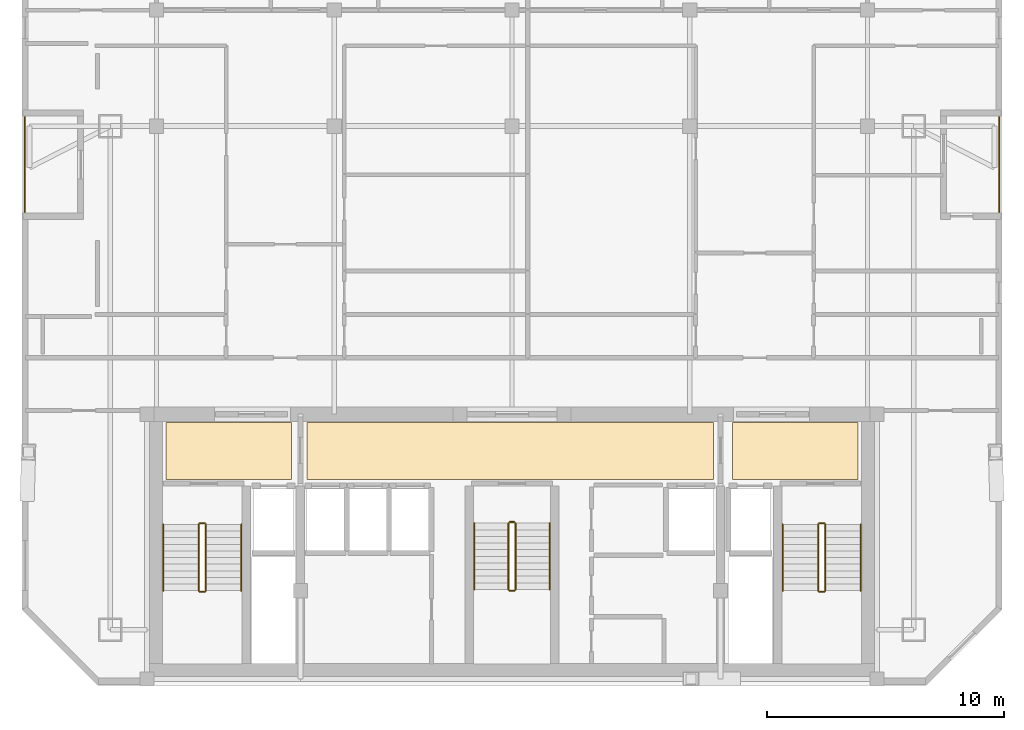
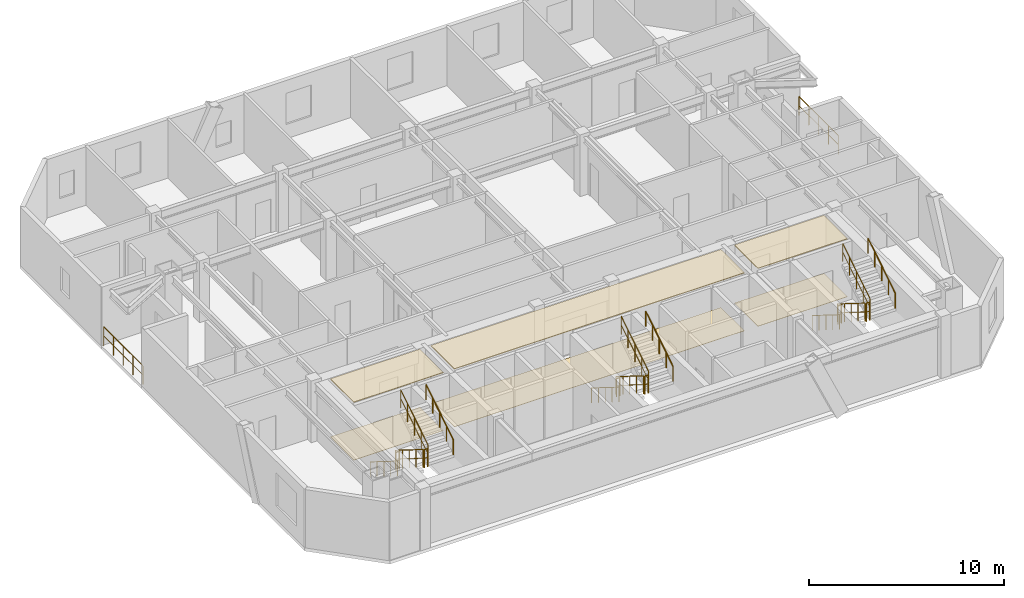
# One storey, part 7 of 7: 20 railings, 6 coverings.
"""IFC4 building model written with IfcOpenShell, lengths in metres."""

import ifcopenshell
import ifcopenshell.guid

model = None  # the IFC model being written
_history = None  # IfcOwnerHistory: only IFC2X3 demands one
_inside = {}  # id of a spatial element -> (the spatial element, [elements in it])
_under = {}  # id of a project, library or spatial element -> (it, [spatial elements below it])
_declared = {}  # id of a project -> (the project, [libraries it declares])
_typed = {}  # id of a type object -> (the type object, [elements of that type])
_made_of = {}  # id of a material, layer set ... -> (it, [elements and type objects made of it])


def new_model(schema):
    """Start an empty IFC model of exactly this schema.

    Asked for "IFC4X3", IfcOpenShell would pick the latest addendum, in which some entities
    have other attributes; the version numbers below select the first issue.
    IFC2X3 requires an IfcOwnerHistory on every rooted entity: one is made here for all.
    """
    global model, _history
    if schema == "IFC4X3":
        model = ifcopenshell.file(schema_version=(4, 3, 0, 0))
    else:
        model = ifcopenshell.file(schema=schema)
    _inside.clear()
    _under.clear()
    _declared.clear()
    _typed.clear()
    _made_of.clear()
    _history = None
    if model.schema == "IFC2X3":
        org = make("IfcOrganization", Name="unknown")
        user = make(
            "IfcPersonAndOrganization",
            ThePerson=make("IfcPerson", FamilyName="unknown"),
            TheOrganization=org,
        )
        app = make(
            "IfcApplication",
            ApplicationDeveloper=org,
            Version="unknown",
            ApplicationFullName="unknown",
            ApplicationIdentifier="unknown",
        )
        _history = make(
            "IfcOwnerHistory",
            OwningUser=user,
            OwningApplication=app,
            ChangeAction="ADDED",
            CreationDate=0,
        )
    return model


def make(cls, **values):
    """One entity of the class cls with the attributes given. An attribute that is None is left unset."""
    return model.create_entity(
        cls, **{name: value for name, value in values.items() if value is not None}
    )


def rooted(cls, **values):
    """An entity with a GlobalId (a new one), such as an element, a storey or a relation."""
    return make(cls, GlobalId=ifcopenshell.guid.new(), OwnerHistory=_history, **values)


def si_unit(unit_type, name, prefix=None):
    """IfcSIUnit, for example si_unit("LENGTHUNIT", "METRE", prefix="MILLI")."""
    return make("IfcSIUnit", UnitType=unit_type, Prefix=prefix, Name=name)


def assignment(units):
    """IfcUnitAssignment: the units of a project."""
    return None if units is None else make("IfcUnitAssignment", Units=units)


def point(xyz):
    """IfcCartesianPoint."""
    return None if xyz is None else make("IfcCartesianPoint", Coordinates=xyz)


def direction(xyz):
    """IfcDirection."""
    return None if xyz is None else make("IfcDirection", DirectionRatios=xyz)


def frame(location, z_axis=None, x_axis=None):
    """IfcAxis2Placement3D, a coordinate frame: its origin and axes. An axis left out is left unset."""
    return make(
        "IfcAxis2Placement3D",
        Location=point(location),
        Axis=direction(z_axis),
        RefDirection=direction(x_axis),
    )


def frame_2d(location, x_axis=None):
    """IfcAxis2Placement2D, a coordinate frame in the plane: its origin and x axis."""
    return make(
        "IfcAxis2Placement2D", Location=point(location), RefDirection=direction(x_axis)
    )


def origin():
    """The frame at (0, 0, 0) with its axes left unset."""
    return frame((0.0, 0.0, 0.0))


def origin_2d():
    """The frame at (0, 0) in the plane with its x axis left unset."""
    return frame_2d((0.0, 0.0))


def place(relative_to, where):
    """IfcLocalPlacement: puts the frame where relative to a parent placement (None: the world)."""
    return make(
        "IfcLocalPlacement", PlacementRelTo=relative_to, RelativePlacement=where
    )


def context(
    kind, dimensions, precision=None, world=None, true_north=None, identifier=None
):
    """IfcGeometricRepresentationContext, for example the 3D "Model" context."""
    return make(
        "IfcGeometricRepresentationContext",
        ContextIdentifier=identifier,
        ContextType=kind,
        CoordinateSpaceDimension=dimensions,
        Precision=precision,
        WorldCoordinateSystem=world,
        TrueNorth=true_north,
    )


def subcontext(parent, identifier, kind, view, scale=None):
    """IfcGeometricRepresentationSubContext, for example "Body" below "Model"."""
    return make(
        "IfcGeometricRepresentationSubContext",
        ContextIdentifier=identifier,
        ContextType=kind,
        ParentContext=parent,
        TargetScale=scale,
        TargetView=view,
    )


def project(units=None, contexts=None):
    """IfcProject with its units and contexts."""
    return rooted(
        "IfcProject",
        Name="project",
        RepresentationContexts=contexts,
        UnitsInContext=assignment(units),
    )


def spatial(cls, under=None, at=None, **own):
    """A site, building, storey or space (cls), placed at a placement, below another one or the project."""
    s = rooted(cls, ObjectPlacement=at, **own)
    if under is not None:
        _under.setdefault(under.id(), (under, []))[1].append(s)
    return s


def polyline(points):
    """IfcPolyline through the points."""
    return make("IfcPolyline", Points=[point(p) for p in points])


def profile(cls, at=None, kind="AREA", **sizes):
    """A parametric profile (cls). Its sizes go by their IFC names, for example OverallWidth=200.0."""
    return make(cls, ProfileType=kind, Position=at, **sizes)


def circle(**sizes):
    """IfcCircleProfileDef."""
    return profile("IfcCircleProfileDef", **sizes)


def outline(outer, holes=None, kind="AREA"):
    """IfcArbitraryClosedProfileDef: a profile drawn as a closed curve; with holes, ...WithVoids."""
    if holes is None:
        return make("IfcArbitraryClosedProfileDef", ProfileType=kind, OuterCurve=outer)
    return make(
        "IfcArbitraryProfileDefWithVoids",
        ProfileType=kind,
        OuterCurve=outer,
        InnerCurves=holes,
    )


def extrude(swept, where, along, depth):
    """IfcExtrudedAreaSolid: the profile swept, set in the frame where, extruded along a direction by depth."""
    return make(
        "IfcExtrudedAreaSolid",
        SweptArea=swept,
        Position=where,
        ExtrudedDirection=direction(along),
        Depth=depth,
    )


def shape(context_of_items, identifier, shape_type, items):
    """IfcShapeRepresentation: the items that make up one representation, for example the "Body"."""
    return make(
        "IfcShapeRepresentation",
        ContextOfItems=context_of_items,
        RepresentationIdentifier=identifier,
        RepresentationType=shape_type,
        Items=items,
    )


def material(Name=None, Category=None):
    """IfcMaterial."""
    return make("IfcMaterial", Name=Name, Category=Category)


def layer(
    of_material, thickness, ventilated=None, Name=None, Category=None, Priority=None
):
    """IfcMaterialLayer: one layer of a wall or slab, of a material (None: an air gap)."""
    return make(
        "IfcMaterialLayer",
        Material=of_material,
        LayerThickness=thickness,
        IsVentilated=ventilated,
        Name=Name,
        Category=Category,
        Priority=Priority,
    )


def layer_set(layers, Name=None):
    """IfcMaterialLayerSet."""
    return make("IfcMaterialLayerSet", MaterialLayers=layers, LayerSetName=Name)


def made_of(thing, what):
    """Note that an element or type object is made of a material, layer set ...; save() writes the relation."""
    if what is not None:
        _made_of.setdefault(what.id(), (what, []))[1].append(thing)
    return thing


def type_object(cls, material=None, **own):
    """A type object (cls), such as IfcWallType, which elements share."""
    return made_of(rooted(cls, **own), material)


def element(
    cls,
    number,
    at=None,
    inside=None,
    cuts=None,
    type_object=None,
    material=None,
    context=None,
    identifier="Body",
    shape_type=None,
    held_by="IfcProductDefinitionShape",
    body=None,
    shapes=None,
    **own,
):
    """One element of the class cls, such as IfcWall. Its Tag is "e" and its number.

    at: its placement. inside: the storey or other place that contains it. cuts: it is an
    opening in that element (IfcRelVoidsElement). A single representation is given by context,
    identifier, shape_type and body (its items); several are given by shapes. held_by: the class
    of the entity that holds the representations. save() writes the other relations.
    """
    e = rooted(cls, Tag="e%d" % number, ObjectPlacement=at, **own)
    if body is not None:
        shapes = [shape(context, identifier, shape_type, body)]
    if shapes is not None:
        e.Representation = make(held_by, Representations=shapes)
    if inside is not None:
        _inside.setdefault(inside.id(), (inside, []))[1].append(e)
    if cuts is not None:
        rooted(
            "IfcRelVoidsElement", RelatingBuildingElement=cuts, RelatedOpeningElement=e
        )
    if type_object is not None:
        _typed.setdefault(type_object.id(), (type_object, []))[1].append(e)
    return made_of(e, material)


def aggregate(whole, parts):
    """IfcRelAggregates: a whole, such as a stair, and the parts it consists of."""
    return rooted("IfcRelAggregates", RelatingObject=whole, RelatedObjects=parts)


def save(model, path):
    """Write the relations noted so far, then the file.

    IfcRelAggregates (storeys below a building ...), IfcRelContainedInSpatialStructure (elements
    in a storey), IfcRelDefinesByType, IfcRelAssociatesMaterial and IfcRelDeclares: one each for
    every whole, place, type object, material and project.
    """
    for whole, parts in _under.values():
        aggregate(whole, parts)
    for where, things in _inside.values():
        rooted(
            "IfcRelContainedInSpatialStructure",
            RelatedElements=things,
            RelatingStructure=where,
        )
    for kind, things in _typed.values():
        rooted("IfcRelDefinesByType", RelatedObjects=things, RelatingType=kind)
    for what, things in _made_of.values():
        rooted("IfcRelAssociatesMaterial", RelatedObjects=things, RelatingMaterial=what)
    for by, libraries in _declared.values():
        rooted("IfcRelDeclares", RelatingContext=by, RelatedDefinitions=libraries)
    model.write(path)


model = new_model("IFC4")

# Units and contexts
model_context = context("Model", 3, precision=1e-05, world=origin(), true_north=direction((0.0, 1.0)))
body_context = subcontext(model_context, "Body", "Model", "MODEL_VIEW")
ifc_project = project(units=[si_unit("LENGTHUNIT", "METRE"), si_unit("AREAUNIT", "SQUARE_METRE"), si_unit("VOLUMEUNIT", "CUBIC_METRE"), si_unit("PLANEANGLEUNIT", "RADIAN"), si_unit("MASSUNIT", "GRAM", prefix="KILO")], contexts=[model_context])

# Site, building, storey
site_placement = place(None, origin())
site = spatial("IfcSite", under=ifc_project, at=site_placement, CompositionType="ELEMENT")
building_placement = place(site_placement, origin())
building = spatial("IfcBuilding", under=site, at=building_placement, Name="Ventersveld Concourse Tower", CompositionType="ELEMENT")
storey_placement = place(building_placement, frame((0.0, 0.0, 264.449951171875)))
storey = spatial("IfcBuildingStorey", under=building, at=storey_placement, Name="L65", CompositionType="ELEMENT", Elevation=264.449951171875)

# Coverings
ifc_material_1 = material(Name="Mineral-fibre acoustic ceiling tile", Category="gypsum")
ifc_layer_1 = layer(ifc_material_1, 0.0400390625)
ifc_layer_set_1 = layer_set([ifc_layer_1], Name="Mineral-fibre acoustic ceiling tile")
covering_type_1 = type_object("IfcCoveringType", Name="COV-CEIL-ACOUSTIC", PredefinedType="CEILING", material=ifc_layer_set_1)
covering_1_placement = place(storey_placement, frame((0.0, 0.0, 3.610107421875)))
element("IfcCovering", 1, at=covering_1_placement, inside=storey, type_object=covering_type_1, Name="L65 North Lift Lobby Acoustic Ceiling", PredefinedType="CEILING", context=body_context, shape_type="SweptSolid", body=[
    extrude(outline(polyline([(20.10009765625, 8.699951171875), (37.25, 8.699951171875), (37.25, 11.10009765625), (20.10009765625, 11.10009765625), (20.10009765625, 8.699951171875)])), origin(), (0.0, 0.0, 1.0), 0.0400390625),
])
covering_2_placement = place(storey_placement, frame((0.0, 0.0, 3.610107421875)))
element("IfcCovering", 2, at=covering_2_placement, inside=storey, type_object=covering_type_1, Name="L65 West Firefighting Lobby Acoustic Ceiling", PredefinedType="CEILING", context=body_context, shape_type="SweptSolid", body=[
    extrude(outline(polyline([(14.14990234375, 8.699951171875), (19.449951171875, 8.699951171875), (19.449951171875, 11.10009765625), (14.14990234375, 11.10009765625), (14.14990234375, 8.699951171875)])), origin(), (0.0, 0.0, 1.0), 0.0400390625),
])
covering_3_placement = place(storey_placement, frame((0.0, 0.0, 3.610107421875)))
element("IfcCovering", 3, at=covering_3_placement, inside=storey, type_object=covering_type_1, Name="L65 East Firefighting Lobby Acoustic Ceiling", PredefinedType="CEILING", context=body_context, shape_type="SweptSolid", body=[
    extrude(outline(polyline([(38.050048828125, 8.699951171875), (43.35009765625, 8.699951171875), (43.35009765625, 11.10009765625), (38.050048828125, 11.10009765625), (38.050048828125, 8.699951171875)])), origin(), (0.0, 0.0, 1.0), 0.0400390625),
])
ifc_material_2 = material(Name="Polished Highveld granite terrazzo", Category="masonry")
ifc_layer_2 = layer(ifc_material_2, 0.02001953125)
ifc_layer_set_2 = layer_set([ifc_layer_2], Name="Polished Highveld granite terrazzo")
covering_type_2 = type_object("IfcCoveringType", Name="COV-FLOOR-TERRAZZO", PredefinedType="FLOORING", material=ifc_layer_set_2)
covering_4_placement = place(storey_placement, origin())
element("IfcCovering", 4, at=covering_4_placement, inside=storey, type_object=covering_type_2, Name="L65 North Lift Lobby Terrazzo Flooring", PredefinedType="FLOORING", context=body_context, shape_type="SweptSolid", body=[
    extrude(outline(polyline([(20.10009765625, 8.699951171875), (37.25, 8.699951171875), (37.25, 11.10009765625), (20.10009765625, 11.10009765625), (20.10009765625, 8.699951171875)])), origin(), (0.0, 0.0, 1.0), 0.02001953125),
])
covering_5_placement = place(storey_placement, origin())
element("IfcCovering", 5, at=covering_5_placement, inside=storey, type_object=covering_type_2, Name="L65 West Firefighting Lobby Terrazzo Flooring", PredefinedType="FLOORING", context=body_context, shape_type="SweptSolid", body=[
    extrude(outline(polyline([(14.14990234375, 8.699951171875), (19.449951171875, 8.699951171875), (19.449951171875, 11.10009765625), (14.14990234375, 11.10009765625), (14.14990234375, 8.699951171875)])), origin(), (0.0, 0.0, 1.0), 0.02001953125),
])
covering_6_placement = place(storey_placement, origin())
element("IfcCovering", 6, at=covering_6_placement, inside=storey, type_object=covering_type_2, Name="L65 East Firefighting Lobby Terrazzo Flooring", PredefinedType="FLOORING", context=body_context, shape_type="SweptSolid", body=[
    extrude(outline(polyline([(38.050048828125, 8.699951171875), (43.35009765625, 8.699951171875), (43.35009765625, 11.10009765625), (38.050048828125, 11.10009765625), (38.050048828125, 8.699951171875)])), origin(), (0.0, 0.0, 1.0), 0.02001953125),
])

# Railings
ifc_material_3 = material(Name="Brushed stainless steel 316", Category="steel")
railing_type_1 = type_object("IfcRailingType", Name="GD-BAL-115", PredefinedType="GUARDRAIL", material=ifc_material_3)
railing_1_placement = place(storey_placement, frame((15.530029296875, 6.800048828125, 0.175048828125)))
element("IfcRailing", 7, at=railing_1_placement, inside=storey, type_object=railing_type_1, Name="L65 ST-01 stair guard 1", PredefinedType="GUARDRAIL", context=body_context, shape_type="SweptSolid", body=[
    extrude(circle(Radius=0.02392578125, at=origin_2d()), frame((0.0, 0.0, 1.1259765625), z_axis=(0.0, -0.848002457836, 0.529992293815), x_axis=(1.0, 0.0, 0.0)), (0.0, 0.0, 1.0), 3.302001953125),
    extrude(circle(Radius=0.01611328125, at=origin_2d()), frame((0.0, 0.0, 0.574951171875), z_axis=(0.0, -0.848002457836, 0.529992293815), x_axis=(1.0, 0.0, 0.0)), (0.0, 0.0, 1.0), 3.302001953125),
    extrude(circle(Radius=0.02099609375, at=origin_2d()), origin(), (0.0, 0.0, 1.0), 1.101806640625),
    extrude(circle(Radius=0.02099609375, at=origin_2d()), frame((0.0, -0.699951171875, 0.4375)), (0.0, 0.0, 1.0), 1.101806640625),
    extrude(circle(Radius=0.02099609375, at=origin_2d()), frame((0.0, -1.39990234375, 0.875)), (0.0, 0.0, 1.0), 1.101806640625),
    extrude(circle(Radius=0.02099609375, at=origin_2d()), frame((0.0, -2.10009765625, 1.3125)), (0.0, 0.0, 1.0), 1.101806640625),
    extrude(circle(Radius=0.02099609375, at=origin_2d()), frame((0.0, -2.800048828125, 1.75)), (0.0, 0.0, 1.0), 1.101806640625),
])
railing_2_placement = place(storey_placement, frame((15.580078125, 3.949951171875, 1.925048828125)))
element("IfcRailing", 8, at=railing_2_placement, inside=storey, type_object=railing_type_1, Name="L65 ST-01 stair guard 2", PredefinedType="GUARDRAIL", context=body_context, shape_type="SweptSolid", body=[
    extrude(circle(Radius=0.02392578125, at=origin_2d()), frame((0.0, 0.0, 1.1259765625), z_axis=(1.0, 0.0, 0.0), x_axis=(0.0, 1.0, 0.0)), (0.0, 0.0, 1.0), 0.199951171875),
    extrude(circle(Radius=0.01611328125, at=origin_2d()), frame((0.0, 0.0, 0.574951171875), z_axis=(1.0, 0.0, 0.0), x_axis=(0.0, 1.0, 0.0)), (0.0, 0.0, 1.0), 0.199951171875),
    extrude(circle(Radius=0.02099609375, at=origin_2d()), origin(), (0.0, 0.0, 1.0), 1.101806640625),
    extrude(circle(Radius=0.02099609375, at=origin_2d()), frame((0.199951171875, 0.0, 0.0)), (0.0, 0.0, 1.0), 1.101806640625),
])
railing_3_placement = place(storey_placement, frame((15.830078125, 4.0, 2.10009765625)))
element("IfcRailing", 9, at=railing_3_placement, inside=storey, type_object=railing_type_1, Name="L65 ST-01 stair guard 3", PredefinedType="GUARDRAIL", context=body_context, shape_type="SweptSolid", body=[
    extrude(circle(Radius=0.02392578125, at=origin_2d()), frame((0.0, 0.0, 1.1259765625), z_axis=(0.0, 0.848002457836, 0.529992293815), x_axis=(-1.0, 0.0, 0.0)), (0.0, 0.0, 1.0), 3.302001953125),
    extrude(circle(Radius=0.01611328125, at=origin_2d()), frame((0.0, 0.0, 0.574951171875), z_axis=(0.0, 0.848002457836, 0.529992293815), x_axis=(-1.0, 0.0, 0.0)), (0.0, 0.0, 1.0), 3.302001953125),
    extrude(circle(Radius=0.02099609375, at=origin_2d()), origin(), (0.0, 0.0, 1.0), 1.101806640625),
    extrude(circle(Radius=0.02099609375, at=origin_2d()), frame((0.0, 0.699951171875, 0.4375)), (0.0, 0.0, 1.0), 1.101806640625),
    extrude(circle(Radius=0.02099609375, at=origin_2d()), frame((0.0, 1.39990234375, 0.875)), (0.0, 0.0, 1.0), 1.101806640625),
    extrude(circle(Radius=0.02099609375, at=origin_2d()), frame((0.0, 2.10009765625, 1.3125)), (0.0, 0.0, 1.0), 1.101806640625),
    extrude(circle(Radius=0.02099609375, at=origin_2d()), frame((0.0, 2.800048828125, 1.75)), (0.0, 0.0, 1.0), 1.101806640625),
])
railing_4_placement = place(storey_placement, frame((15.580078125, 6.85009765625, 0.0)))
element("IfcRailing", 10, at=railing_4_placement, inside=storey, type_object=railing_type_1, Name="L65 ST-01 stair guard 4", PredefinedType="GUARDRAIL", context=body_context, shape_type="SweptSolid", body=[
    extrude(circle(Radius=0.02392578125, at=origin_2d()), frame((0.0, 0.0, 1.1259765625), z_axis=(1.0, 0.0, 0.0), x_axis=(0.0, 1.0, 0.0)), (0.0, 0.0, 1.0), 0.199951171875),
    extrude(circle(Radius=0.01611328125, at=origin_2d()), frame((0.0, 0.0, 0.574951171875), z_axis=(1.0, 0.0, 0.0), x_axis=(0.0, 1.0, 0.0)), (0.0, 0.0, 1.0), 0.199951171875),
    extrude(circle(Radius=0.02099609375, at=origin_2d()), origin(), (0.0, 0.0, 1.0), 1.101806640625),
    extrude(circle(Radius=0.02099609375, at=origin_2d()), frame((0.199951171875, 0.0, 0.0)), (0.0, 0.0, 1.0), 1.101806640625),
])
railing_5_placement = place(storey_placement, frame((41.669921875, 6.800048828125, 0.175048828125)))
element("IfcRailing", 11, at=railing_5_placement, inside=storey, type_object=railing_type_1, Name="L65 ST-02 stair guard 1", PredefinedType="GUARDRAIL", context=body_context, shape_type="SweptSolid", body=[
    extrude(circle(Radius=0.02392578125, at=origin_2d()), frame((0.0, 0.0, 1.1259765625), z_axis=(0.0, -0.848002457836, 0.529992293815), x_axis=(1.0, 0.0, 0.0)), (0.0, 0.0, 1.0), 3.302001953125),
    extrude(circle(Radius=0.01611328125, at=origin_2d()), frame((0.0, 0.0, 0.574951171875), z_axis=(0.0, -0.848002457836, 0.529992293815), x_axis=(1.0, 0.0, 0.0)), (0.0, 0.0, 1.0), 3.302001953125),
    extrude(circle(Radius=0.02099609375, at=origin_2d()), origin(), (0.0, 0.0, 1.0), 1.101806640625),
    extrude(circle(Radius=0.02099609375, at=origin_2d()), frame((0.0, -0.699951171875, 0.4375)), (0.0, 0.0, 1.0), 1.101806640625),
    extrude(circle(Radius=0.02099609375, at=origin_2d()), frame((0.0, -1.39990234375, 0.875)), (0.0, 0.0, 1.0), 1.101806640625),
    extrude(circle(Radius=0.02099609375, at=origin_2d()), frame((0.0, -2.10009765625, 1.3125)), (0.0, 0.0, 1.0), 1.101806640625),
    extrude(circle(Radius=0.02099609375, at=origin_2d()), frame((0.0, -2.800048828125, 1.75)), (0.0, 0.0, 1.0), 1.101806640625),
])
railing_6_placement = place(storey_placement, frame((41.719970703125, 3.949951171875, 1.925048828125)))
element("IfcRailing", 12, at=railing_6_placement, inside=storey, type_object=railing_type_1, Name="L65 ST-02 stair guard 2", PredefinedType="GUARDRAIL", context=body_context, shape_type="SweptSolid", body=[
    extrude(circle(Radius=0.02392578125, at=origin_2d()), frame((0.0, 0.0, 1.1259765625), z_axis=(1.0, 0.0, 0.0), x_axis=(0.0, 1.0, 0.0)), (0.0, 0.0, 1.0), 0.199951171875),
    extrude(circle(Radius=0.01611328125, at=origin_2d()), frame((0.0, 0.0, 0.574951171875), z_axis=(1.0, 0.0, 0.0), x_axis=(0.0, 1.0, 0.0)), (0.0, 0.0, 1.0), 0.199951171875),
    extrude(circle(Radius=0.02099609375, at=origin_2d()), origin(), (0.0, 0.0, 1.0), 1.101806640625),
    extrude(circle(Radius=0.02099609375, at=origin_2d()), frame((0.199951171875, 0.0, 0.0)), (0.0, 0.0, 1.0), 1.101806640625),
])
railing_7_placement = place(storey_placement, frame((41.969970703125, 4.0, 2.10009765625)))
element("IfcRailing", 13, at=railing_7_placement, inside=storey, type_object=railing_type_1, Name="L65 ST-02 stair guard 3", PredefinedType="GUARDRAIL", context=body_context, shape_type="SweptSolid", body=[
    extrude(circle(Radius=0.02392578125, at=origin_2d()), frame((0.0, 0.0, 1.1259765625), z_axis=(0.0, 0.848002457836, 0.529992293815), x_axis=(-1.0, 0.0, 0.0)), (0.0, 0.0, 1.0), 3.302001953125),
    extrude(circle(Radius=0.01611328125, at=origin_2d()), frame((0.0, 0.0, 0.574951171875), z_axis=(0.0, 0.848002457836, 0.529992293815), x_axis=(-1.0, 0.0, 0.0)), (0.0, 0.0, 1.0), 3.302001953125),
    extrude(circle(Radius=0.02099609375, at=origin_2d()), origin(), (0.0, 0.0, 1.0), 1.101806640625),
    extrude(circle(Radius=0.02099609375, at=origin_2d()), frame((0.0, 0.699951171875, 0.4375)), (0.0, 0.0, 1.0), 1.101806640625),
    extrude(circle(Radius=0.02099609375, at=origin_2d()), frame((0.0, 1.39990234375, 0.875)), (0.0, 0.0, 1.0), 1.101806640625),
    extrude(circle(Radius=0.02099609375, at=origin_2d()), frame((0.0, 2.10009765625, 1.3125)), (0.0, 0.0, 1.0), 1.101806640625),
    extrude(circle(Radius=0.02099609375, at=origin_2d()), frame((0.0, 2.800048828125, 1.75)), (0.0, 0.0, 1.0), 1.101806640625),
])
railing_8_placement = place(storey_placement, frame((41.719970703125, 6.85009765625, 0.0)))
element("IfcRailing", 14, at=railing_8_placement, inside=storey, type_object=railing_type_1, Name="L65 ST-02 stair guard 4", PredefinedType="GUARDRAIL", context=body_context, shape_type="SweptSolid", body=[
    extrude(circle(Radius=0.02392578125, at=origin_2d()), frame((0.0, 0.0, 1.1259765625), z_axis=(1.0, 0.0, 0.0), x_axis=(0.0, 1.0, 0.0)), (0.0, 0.0, 1.0), 0.199951171875),
    extrude(circle(Radius=0.01611328125, at=origin_2d()), frame((0.0, 0.0, 0.574951171875), z_axis=(1.0, 0.0, 0.0), x_axis=(0.0, 1.0, 0.0)), (0.0, 0.0, 1.0), 0.199951171875),
    extrude(circle(Radius=0.02099609375, at=origin_2d()), origin(), (0.0, 0.0, 1.0), 1.101806640625),
    extrude(circle(Radius=0.02099609375, at=origin_2d()), frame((0.199951171875, 0.0, 0.0)), (0.0, 0.0, 1.0), 1.101806640625),
])
railing_9_placement = place(storey_placement, frame((28.60009765625, 6.85009765625, 0.175048828125)))
element("IfcRailing", 15, at=railing_9_placement, inside=storey, type_object=railing_type_1, Name="L65 ST-03 stair guard 1", PredefinedType="GUARDRAIL", context=body_context, shape_type="SweptSolid", body=[
    extrude(circle(Radius=0.02392578125, at=origin_2d()), frame((0.0, 0.0, 1.1259765625), z_axis=(0.0, -0.848002457836, 0.529992293815), x_axis=(1.0, 0.0, 0.0)), (0.0, 0.0, 1.0), 3.302001953125),
    extrude(circle(Radius=0.01611328125, at=origin_2d()), frame((0.0, 0.0, 0.574951171875), z_axis=(0.0, -0.848002457836, 0.529992293815), x_axis=(1.0, 0.0, 0.0)), (0.0, 0.0, 1.0), 3.302001953125),
    extrude(circle(Radius=0.02099609375, at=origin_2d()), origin(), (0.0, 0.0, 1.0), 1.101806640625),
    extrude(circle(Radius=0.02099609375, at=origin_2d()), frame((0.0, -0.699951171875, 0.4375)), (0.0, 0.0, 1.0), 1.101806640625),
    extrude(circle(Radius=0.02099609375, at=origin_2d()), frame((0.0, -1.39990234375, 0.875)), (0.0, 0.0, 1.0), 1.101806640625),
    extrude(circle(Radius=0.02099609375, at=origin_2d()), frame((0.0, -2.10009765625, 1.3125)), (0.0, 0.0, 1.0), 1.101806640625),
    extrude(circle(Radius=0.02099609375, at=origin_2d()), frame((0.0, -2.800048828125, 1.75)), (0.0, 0.0, 1.0), 1.101806640625),
])
railing_10_placement = place(storey_placement, frame((28.64990234375, 4.0, 1.925048828125)))
element("IfcRailing", 16, at=railing_10_placement, inside=storey, type_object=railing_type_1, Name="L65 ST-03 stair guard 2", PredefinedType="GUARDRAIL", context=body_context, shape_type="SweptSolid", body=[
    extrude(circle(Radius=0.02392578125, at=origin_2d()), frame((0.0, 0.0, 1.1259765625), z_axis=(1.0, 0.0, 0.0), x_axis=(0.0, 1.0, 0.0)), (0.0, 0.0, 1.0), 0.2001953125),
    extrude(circle(Radius=0.01611328125, at=origin_2d()), frame((0.0, 0.0, 0.574951171875), z_axis=(1.0, 0.0, 0.0), x_axis=(0.0, 1.0, 0.0)), (0.0, 0.0, 1.0), 0.2001953125),
    extrude(circle(Radius=0.02099609375, at=origin_2d()), origin(), (0.0, 0.0, 1.0), 1.101806640625),
    extrude(circle(Radius=0.02099609375, at=origin_2d()), frame((0.2001953125, 0.0, 0.0)), (0.0, 0.0, 1.0), 1.101806640625),
])
railing_11_placement = place(storey_placement, frame((28.89990234375, 4.050048828125, 2.10009765625)))
element("IfcRailing", 17, at=railing_11_placement, inside=storey, type_object=railing_type_1, Name="L65 ST-03 stair guard 3", PredefinedType="GUARDRAIL", context=body_context, shape_type="SweptSolid", body=[
    extrude(circle(Radius=0.02392578125, at=origin_2d()), frame((0.0, 0.0, 1.1259765625), z_axis=(0.0, 0.848002457836, 0.529992293815), x_axis=(-1.0, 0.0, 0.0)), (0.0, 0.0, 1.0), 3.302001953125),
    extrude(circle(Radius=0.01611328125, at=origin_2d()), frame((0.0, 0.0, 0.574951171875), z_axis=(0.0, 0.848002457836, 0.529992293815), x_axis=(-1.0, 0.0, 0.0)), (0.0, 0.0, 1.0), 3.302001953125),
    extrude(circle(Radius=0.02099609375, at=origin_2d()), origin(), (0.0, 0.0, 1.0), 1.101806640625),
    extrude(circle(Radius=0.02099609375, at=origin_2d()), frame((0.0, 0.699951171875, 0.4375)), (0.0, 0.0, 1.0), 1.101806640625),
    extrude(circle(Radius=0.02099609375, at=origin_2d()), frame((0.0, 1.39990234375, 0.875)), (0.0, 0.0, 1.0), 1.101806640625),
    extrude(circle(Radius=0.02099609375, at=origin_2d()), frame((0.0, 2.10009765625, 1.3125)), (0.0, 0.0, 1.0), 1.101806640625),
    extrude(circle(Radius=0.02099609375, at=origin_2d()), frame((0.0, 2.800048828125, 1.75)), (0.0, 0.0, 1.0), 1.101806640625),
])
railing_12_placement = place(storey_placement, frame((28.64990234375, 6.89990234375, 0.0)))
element("IfcRailing", 18, at=railing_12_placement, inside=storey, type_object=railing_type_1, Name="L65 ST-03 stair guard 4", PredefinedType="GUARDRAIL", context=body_context, shape_type="SweptSolid", body=[
    extrude(circle(Radius=0.02392578125, at=origin_2d()), frame((0.0, 0.0, 1.1259765625), z_axis=(1.0, 0.0, 0.0), x_axis=(0.0, 1.0, 0.0)), (0.0, 0.0, 1.0), 0.2001953125),
    extrude(circle(Radius=0.01611328125, at=origin_2d()), frame((0.0, 0.0, 0.574951171875), z_axis=(1.0, 0.0, 0.0), x_axis=(0.0, 1.0, 0.0)), (0.0, 0.0, 1.0), 0.2001953125),
    extrude(circle(Radius=0.02099609375, at=origin_2d()), origin(), (0.0, 0.0, 1.0), 1.101806640625),
    extrude(circle(Radius=0.02099609375, at=origin_2d()), frame((0.2001953125, 0.0, 0.0)), (0.0, 0.0, 1.0), 1.101806640625),
])
railing_type_2 = type_object("IfcRailingType", Name="GD-TER-120", PredefinedType="GUARDRAIL", material=ifc_material_3)
for number, where, name in (
    (19, (8.188720703125, 19.9775390625, 0.0), "L65 Outdoor Terrace Guardrail NOTCH-W"),
    (20, (49.311279296875, 19.9775390625, 0.0), "L65 Outdoor Terrace Guardrail NOTCH-E"),
):
    element("IfcRailing", number, at=place(storey_placement, frame(where)), inside=storey, type_object=railing_type_2, Name=name, PredefinedType="GUARDRAIL", context=body_context, shape_type="SweptSolid", body=[
        extrude(circle(Radius=0.02392578125, at=origin_2d()), frame((0.0, 0.0, 1.17578125), z_axis=(0.0, 1.0, 0.0), x_axis=(-1.0, 0.0, 0.0)), (0.0, 0.0, 1.0), 4.0),
        extrude(circle(Radius=0.01611328125, at=origin_2d()), frame((0.0, 0.0, 0.60009765625), z_axis=(0.0, 1.0, 0.0), x_axis=(-1.0, 0.0, 0.0)), (0.0, 0.0, 1.0), 4.0),
        extrude(circle(Radius=0.02099609375, at=origin_2d()), origin(), (0.0, 0.0, 1.0), 1.15185546875),
        extrude(circle(Radius=0.02099609375, at=origin_2d()), frame((0.0, 1.0, 0.0)), (0.0, 0.0, 1.0), 1.15185546875),
        extrude(circle(Radius=0.02099609375, at=origin_2d()), frame((0.0, 2.0, 0.0)), (0.0, 0.0, 1.0), 1.15185546875),
        extrude(circle(Radius=0.02099609375, at=origin_2d()), frame((0.0, 3.0, 0.0)), (0.0, 0.0, 1.0), 1.15185546875),
        extrude(circle(Radius=0.02099609375, at=origin_2d()), frame((0.0, 4.0, 0.0)), (0.0, 0.0, 1.0), 1.15185546875),
    ])
railing_type_3 = type_object("IfcRailingType", Name="HR-RMP-095", PredefinedType="HANDRAIL", material=ifc_material_3)
railing_13_placement = place(storey_placement, frame((14.030029296875, 6.800048828125, 0.175048828125)))
element("IfcRailing", 21, at=railing_13_placement, inside=storey, type_object=railing_type_3, Name="L65 ST-01 stair handrail 1", PredefinedType="HANDRAIL", context=body_context, shape_type="SweptSolid", body=[
    extrude(circle(Radius=0.02392578125, at=origin_2d()), frame((0.0, 0.0, 0.92578125), z_axis=(0.0, -0.848002457836, 0.529992293815), x_axis=(1.0, 0.0, 0.0)), (0.0, 0.0, 1.0), 3.302001953125),
    extrude(circle(Radius=0.02099609375, at=origin_2d()), origin(), (0.0, 0.0, 1.0), 0.90185546875),
    extrude(circle(Radius=0.02099609375, at=origin_2d()), frame((0.0, -0.699951171875, 0.4375)), (0.0, 0.0, 1.0), 0.90185546875),
    extrude(circle(Radius=0.02099609375, at=origin_2d()), frame((0.0, -1.39990234375, 0.875)), (0.0, 0.0, 1.0), 0.90185546875),
    extrude(circle(Radius=0.02099609375, at=origin_2d()), frame((0.0, -2.10009765625, 1.3125)), (0.0, 0.0, 1.0), 0.90185546875),
    extrude(circle(Radius=0.02099609375, at=origin_2d()), frame((0.0, -2.800048828125, 1.75)), (0.0, 0.0, 1.0), 0.90185546875),
])
railing_14_placement = place(storey_placement, frame((17.330078125, 4.0, 2.10009765625)))
element("IfcRailing", 22, at=railing_14_placement, inside=storey, type_object=railing_type_3, Name="L65 ST-01 stair handrail 2", PredefinedType="HANDRAIL", context=body_context, shape_type="SweptSolid", body=[
    extrude(circle(Radius=0.02392578125, at=origin_2d()), frame((0.0, 0.0, 0.92578125), z_axis=(0.0, 0.848002457836, 0.529992293815), x_axis=(-1.0, 0.0, 0.0)), (0.0, 0.0, 1.0), 3.302001953125),
    extrude(circle(Radius=0.02099609375, at=origin_2d()), origin(), (0.0, 0.0, 1.0), 0.90185546875),
    extrude(circle(Radius=0.02099609375, at=origin_2d()), frame((0.0, 0.699951171875, 0.4375)), (0.0, 0.0, 1.0), 0.90185546875),
    extrude(circle(Radius=0.02099609375, at=origin_2d()), frame((0.0, 1.39990234375, 0.875)), (0.0, 0.0, 1.0), 0.90185546875),
    extrude(circle(Radius=0.02099609375, at=origin_2d()), frame((0.0, 2.10009765625, 1.3125)), (0.0, 0.0, 1.0), 0.90185546875),
    extrude(circle(Radius=0.02099609375, at=origin_2d()), frame((0.0, 2.800048828125, 1.75)), (0.0, 0.0, 1.0), 0.90185546875),
])
railing_15_placement = place(storey_placement, frame((40.169921875, 6.800048828125, 0.175048828125)))
element("IfcRailing", 23, at=railing_15_placement, inside=storey, type_object=railing_type_3, Name="L65 ST-02 stair handrail 1", PredefinedType="HANDRAIL", context=body_context, shape_type="SweptSolid", body=[
    extrude(circle(Radius=0.02392578125, at=origin_2d()), frame((0.0, 0.0, 0.92578125), z_axis=(0.0, -0.848002457836, 0.529992293815), x_axis=(1.0, 0.0, 0.0)), (0.0, 0.0, 1.0), 3.302001953125),
    extrude(circle(Radius=0.02099609375, at=origin_2d()), origin(), (0.0, 0.0, 1.0), 0.90185546875),
    extrude(circle(Radius=0.02099609375, at=origin_2d()), frame((0.0, -0.699951171875, 0.4375)), (0.0, 0.0, 1.0), 0.90185546875),
    extrude(circle(Radius=0.02099609375, at=origin_2d()), frame((0.0, -1.39990234375, 0.875)), (0.0, 0.0, 1.0), 0.90185546875),
    extrude(circle(Radius=0.02099609375, at=origin_2d()), frame((0.0, -2.10009765625, 1.3125)), (0.0, 0.0, 1.0), 0.90185546875),
    extrude(circle(Radius=0.02099609375, at=origin_2d()), frame((0.0, -2.800048828125, 1.75)), (0.0, 0.0, 1.0), 0.90185546875),
])
railing_16_placement = place(storey_placement, frame((43.469970703125, 4.0, 2.10009765625)))
element("IfcRailing", 24, at=railing_16_placement, inside=storey, type_object=railing_type_3, Name="L65 ST-02 stair handrail 2", PredefinedType="HANDRAIL", context=body_context, shape_type="SweptSolid", body=[
    extrude(circle(Radius=0.02392578125, at=origin_2d()), frame((0.0, 0.0, 0.92578125), z_axis=(0.0, 0.848002457836, 0.529992293815), x_axis=(-1.0, 0.0, 0.0)), (0.0, 0.0, 1.0), 3.302001953125),
    extrude(circle(Radius=0.02099609375, at=origin_2d()), origin(), (0.0, 0.0, 1.0), 0.90185546875),
    extrude(circle(Radius=0.02099609375, at=origin_2d()), frame((0.0, 0.699951171875, 0.4375)), (0.0, 0.0, 1.0), 0.90185546875),
    extrude(circle(Radius=0.02099609375, at=origin_2d()), frame((0.0, 1.39990234375, 0.875)), (0.0, 0.0, 1.0), 0.90185546875),
    extrude(circle(Radius=0.02099609375, at=origin_2d()), frame((0.0, 2.10009765625, 1.3125)), (0.0, 0.0, 1.0), 0.90185546875),
    extrude(circle(Radius=0.02099609375, at=origin_2d()), frame((0.0, 2.800048828125, 1.75)), (0.0, 0.0, 1.0), 0.90185546875),
])
railing_17_placement = place(storey_placement, frame((27.14990234375, 6.85009765625, 0.175048828125)))
element("IfcRailing", 25, at=railing_17_placement, inside=storey, type_object=railing_type_3, Name="L65 ST-03 stair handrail 1", PredefinedType="HANDRAIL", context=body_context, shape_type="SweptSolid", body=[
    extrude(circle(Radius=0.02392578125, at=origin_2d()), frame((0.0, 0.0, 0.92578125), z_axis=(0.0, -0.848002457836, 0.529992293815), x_axis=(1.0, 0.0, 0.0)), (0.0, 0.0, 1.0), 3.302001953125),
    extrude(circle(Radius=0.02099609375, at=origin_2d()), origin(), (0.0, 0.0, 1.0), 0.90185546875),
    extrude(circle(Radius=0.02099609375, at=origin_2d()), frame((0.0, -0.699951171875, 0.4375)), (0.0, 0.0, 1.0), 0.90185546875),
    extrude(circle(Radius=0.02099609375, at=origin_2d()), frame((0.0, -1.39990234375, 0.875)), (0.0, 0.0, 1.0), 0.90185546875),
    extrude(circle(Radius=0.02099609375, at=origin_2d()), frame((0.0, -2.10009765625, 1.3125)), (0.0, 0.0, 1.0), 0.90185546875),
    extrude(circle(Radius=0.02099609375, at=origin_2d()), frame((0.0, -2.800048828125, 1.75)), (0.0, 0.0, 1.0), 0.90185546875),
])
railing_18_placement = place(storey_placement, frame((30.35009765625, 4.050048828125, 2.10009765625)))
element("IfcRailing", 26, at=railing_18_placement, inside=storey, type_object=railing_type_3, Name="L65 ST-03 stair handrail 2", PredefinedType="HANDRAIL", context=body_context, shape_type="SweptSolid", body=[
    extrude(circle(Radius=0.02392578125, at=origin_2d()), frame((0.0, 0.0, 0.92578125), z_axis=(0.0, 0.848002457836, 0.529992293815), x_axis=(-1.0, 0.0, 0.0)), (0.0, 0.0, 1.0), 3.302001953125),
    extrude(circle(Radius=0.02099609375, at=origin_2d()), origin(), (0.0, 0.0, 1.0), 0.90185546875),
    extrude(circle(Radius=0.02099609375, at=origin_2d()), frame((0.0, 0.699951171875, 0.4375)), (0.0, 0.0, 1.0), 0.90185546875),
    extrude(circle(Radius=0.02099609375, at=origin_2d()), frame((0.0, 1.39990234375, 0.875)), (0.0, 0.0, 1.0), 0.90185546875),
    extrude(circle(Radius=0.02099609375, at=origin_2d()), frame((0.0, 2.10009765625, 1.3125)), (0.0, 0.0, 1.0), 0.90185546875),
    extrude(circle(Radius=0.02099609375, at=origin_2d()), frame((0.0, 2.800048828125, 1.75)), (0.0, 0.0, 1.0), 0.90185546875),
])

save(model, "model.ifc")
